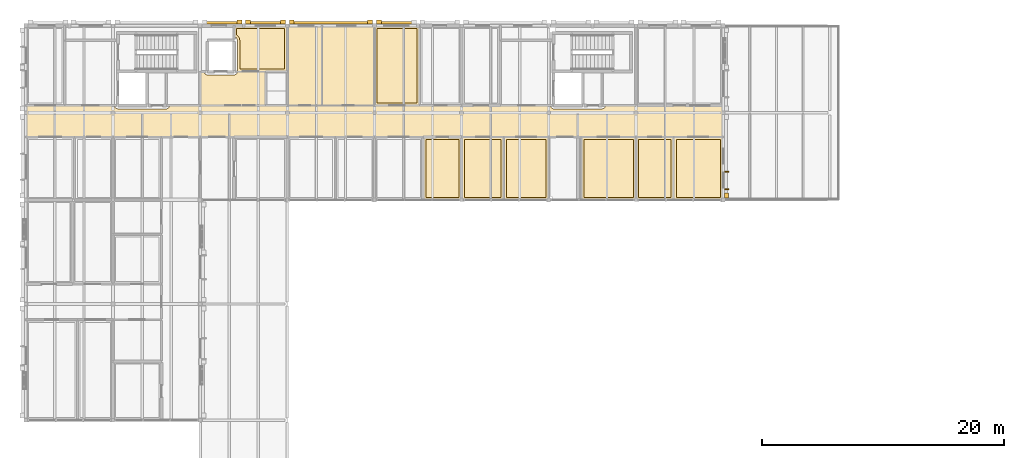
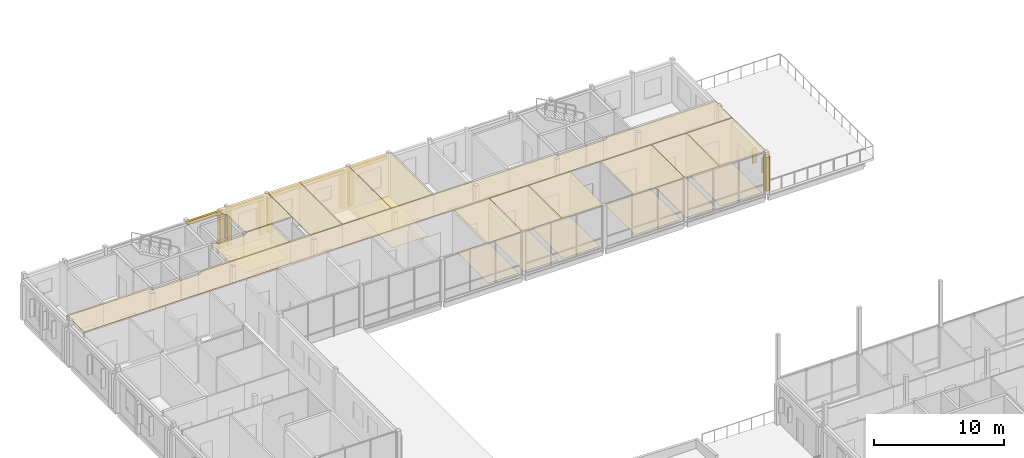
# One storey, part 53 of 57: 31 coverings, 2 shading devices.
"""IFC4 building model written with IfcOpenShell, lengths in metres."""

import ifcopenshell
import ifcopenshell.guid

model = None  # the IFC model being written
_history = None  # IfcOwnerHistory: only IFC2X3 demands one
_inside = {}  # id of a spatial element -> (the spatial element, [elements in it])
_under = {}  # id of a project, library or spatial element -> (it, [spatial elements below it])
_declared = {}  # id of a project -> (the project, [libraries it declares])
_typed = {}  # id of a type object -> (the type object, [elements of that type])
_made_of = {}  # id of a material, layer set ... -> (it, [elements and type objects made of it])


def new_model(schema):
    """Start an empty IFC model of exactly this schema.

    Asked for "IFC4X3", IfcOpenShell would pick the latest addendum, in which some entities
    have other attributes; the version numbers below select the first issue.
    IFC2X3 requires an IfcOwnerHistory on every rooted entity: one is made here for all.
    """
    global model, _history
    if schema == "IFC4X3":
        model = ifcopenshell.file(schema_version=(4, 3, 0, 0))
    else:
        model = ifcopenshell.file(schema=schema)
    _inside.clear()
    _under.clear()
    _declared.clear()
    _typed.clear()
    _made_of.clear()
    _history = None
    if model.schema == "IFC2X3":
        org = make("IfcOrganization", Name="unknown")
        user = make(
            "IfcPersonAndOrganization",
            ThePerson=make("IfcPerson", FamilyName="unknown"),
            TheOrganization=org,
        )
        app = make(
            "IfcApplication",
            ApplicationDeveloper=org,
            Version="unknown",
            ApplicationFullName="unknown",
            ApplicationIdentifier="unknown",
        )
        _history = make(
            "IfcOwnerHistory",
            OwningUser=user,
            OwningApplication=app,
            ChangeAction="ADDED",
            CreationDate=0,
        )
    return model


def make(cls, **values):
    """One entity of the class cls with the attributes given. An attribute that is None is left unset."""
    return model.create_entity(
        cls, **{name: value for name, value in values.items() if value is not None}
    )


def rooted(cls, **values):
    """An entity with a GlobalId (a new one), such as an element, a storey or a relation."""
    return make(cls, GlobalId=ifcopenshell.guid.new(), OwnerHistory=_history, **values)


def si_unit(unit_type, name, prefix=None):
    """IfcSIUnit, for example si_unit("LENGTHUNIT", "METRE", prefix="MILLI")."""
    return make("IfcSIUnit", UnitType=unit_type, Prefix=prefix, Name=name)


def assignment(units):
    """IfcUnitAssignment: the units of a project."""
    return None if units is None else make("IfcUnitAssignment", Units=units)


def point(xyz):
    """IfcCartesianPoint."""
    return None if xyz is None else make("IfcCartesianPoint", Coordinates=xyz)


def direction(xyz):
    """IfcDirection."""
    return None if xyz is None else make("IfcDirection", DirectionRatios=xyz)


def frame(location, z_axis=None, x_axis=None):
    """IfcAxis2Placement3D, a coordinate frame: its origin and axes. An axis left out is left unset."""
    return make(
        "IfcAxis2Placement3D",
        Location=point(location),
        Axis=direction(z_axis),
        RefDirection=direction(x_axis),
    )


def frame_2d(location, x_axis=None):
    """IfcAxis2Placement2D, a coordinate frame in the plane: its origin and x axis."""
    return make(
        "IfcAxis2Placement2D", Location=point(location), RefDirection=direction(x_axis)
    )


def origin():
    """The frame at (0, 0, 0) with its axes left unset."""
    return frame((0.0, 0.0, 0.0))


def origin_2d():
    """The frame at (0, 0) in the plane with its x axis left unset."""
    return frame_2d((0.0, 0.0))


def place(relative_to, where):
    """IfcLocalPlacement: puts the frame where relative to a parent placement (None: the world)."""
    return make(
        "IfcLocalPlacement", PlacementRelTo=relative_to, RelativePlacement=where
    )


def context(
    kind, dimensions, precision=None, world=None, true_north=None, identifier=None
):
    """IfcGeometricRepresentationContext, for example the 3D "Model" context."""
    return make(
        "IfcGeometricRepresentationContext",
        ContextIdentifier=identifier,
        ContextType=kind,
        CoordinateSpaceDimension=dimensions,
        Precision=precision,
        WorldCoordinateSystem=world,
        TrueNorth=true_north,
    )


def subcontext(parent, identifier, kind, view, scale=None):
    """IfcGeometricRepresentationSubContext, for example "Body" below "Model"."""
    return make(
        "IfcGeometricRepresentationSubContext",
        ContextIdentifier=identifier,
        ContextType=kind,
        ParentContext=parent,
        TargetScale=scale,
        TargetView=view,
    )


def project(units=None, contexts=None):
    """IfcProject with its units and contexts."""
    return rooted(
        "IfcProject",
        Name="project",
        RepresentationContexts=contexts,
        UnitsInContext=assignment(units),
    )


def spatial(cls, under=None, at=None, **own):
    """A site, building, storey or space (cls), placed at a placement, below another one or the project."""
    s = rooted(cls, ObjectPlacement=at, **own)
    if under is not None:
        _under.setdefault(under.id(), (under, []))[1].append(s)
    return s


def polyline(points):
    """IfcPolyline through the points."""
    return make("IfcPolyline", Points=[point(p) for p in points])


def profile(cls, at=None, kind="AREA", **sizes):
    """A parametric profile (cls). Its sizes go by their IFC names, for example OverallWidth=200.0."""
    return make(cls, ProfileType=kind, Position=at, **sizes)


def rectangle(**sizes):
    """IfcRectangleProfileDef."""
    return profile("IfcRectangleProfileDef", **sizes)


def outline(outer, holes=None, kind="AREA"):
    """IfcArbitraryClosedProfileDef: a profile drawn as a closed curve; with holes, ...WithVoids."""
    if holes is None:
        return make("IfcArbitraryClosedProfileDef", ProfileType=kind, OuterCurve=outer)
    return make(
        "IfcArbitraryProfileDefWithVoids",
        ProfileType=kind,
        OuterCurve=outer,
        InnerCurves=holes,
    )


def extrude(swept, where, along, depth):
    """IfcExtrudedAreaSolid: the profile swept, set in the frame where, extruded along a direction by depth."""
    return make(
        "IfcExtrudedAreaSolid",
        SweptArea=swept,
        Position=where,
        ExtrudedDirection=direction(along),
        Depth=depth,
    )


def shape(context_of_items, identifier, shape_type, items):
    """IfcShapeRepresentation: the items that make up one representation, for example the "Body"."""
    return make(
        "IfcShapeRepresentation",
        ContextOfItems=context_of_items,
        RepresentationIdentifier=identifier,
        RepresentationType=shape_type,
        Items=items,
    )


def material(Name=None, Category=None):
    """IfcMaterial."""
    return make("IfcMaterial", Name=Name, Category=Category)


def layer(
    of_material, thickness, ventilated=None, Name=None, Category=None, Priority=None
):
    """IfcMaterialLayer: one layer of a wall or slab, of a material (None: an air gap)."""
    return make(
        "IfcMaterialLayer",
        Material=of_material,
        LayerThickness=thickness,
        IsVentilated=ventilated,
        Name=Name,
        Category=Category,
        Priority=Priority,
    )


def layer_set(layers, Name=None):
    """IfcMaterialLayerSet."""
    return make("IfcMaterialLayerSet", MaterialLayers=layers, LayerSetName=Name)


def made_of(thing, what):
    """Note that an element or type object is made of a material, layer set ...; save() writes the relation."""
    if what is not None:
        _made_of.setdefault(what.id(), (what, []))[1].append(thing)
    return thing


def type_object(cls, material=None, **own):
    """A type object (cls), such as IfcWallType, which elements share."""
    return made_of(rooted(cls, **own), material)


def element(
    cls,
    number,
    at=None,
    inside=None,
    cuts=None,
    type_object=None,
    material=None,
    context=None,
    identifier="Body",
    shape_type=None,
    held_by="IfcProductDefinitionShape",
    body=None,
    shapes=None,
    **own,
):
    """One element of the class cls, such as IfcWall. Its Tag is "e" and its number.

    at: its placement. inside: the storey or other place that contains it. cuts: it is an
    opening in that element (IfcRelVoidsElement). A single representation is given by context,
    identifier, shape_type and body (its items); several are given by shapes. held_by: the class
    of the entity that holds the representations. save() writes the other relations.
    """
    e = rooted(cls, Tag="e%d" % number, ObjectPlacement=at, **own)
    if body is not None:
        shapes = [shape(context, identifier, shape_type, body)]
    if shapes is not None:
        e.Representation = make(held_by, Representations=shapes)
    if inside is not None:
        _inside.setdefault(inside.id(), (inside, []))[1].append(e)
    if cuts is not None:
        rooted(
            "IfcRelVoidsElement", RelatingBuildingElement=cuts, RelatedOpeningElement=e
        )
    if type_object is not None:
        _typed.setdefault(type_object.id(), (type_object, []))[1].append(e)
    return made_of(e, material)


def aggregate(whole, parts):
    """IfcRelAggregates: a whole, such as a stair, and the parts it consists of."""
    return rooted("IfcRelAggregates", RelatingObject=whole, RelatedObjects=parts)


def save(model, path):
    """Write the relations noted so far, then the file.

    IfcRelAggregates (storeys below a building ...), IfcRelContainedInSpatialStructure (elements
    in a storey), IfcRelDefinesByType, IfcRelAssociatesMaterial and IfcRelDeclares: one each for
    every whole, place, type object, material and project.
    """
    for whole, parts in _under.values():
        aggregate(whole, parts)
    for where, things in _inside.values():
        rooted(
            "IfcRelContainedInSpatialStructure",
            RelatedElements=things,
            RelatingStructure=where,
        )
    for kind, things in _typed.values():
        rooted("IfcRelDefinesByType", RelatedObjects=things, RelatingType=kind)
    for what, things in _made_of.values():
        rooted("IfcRelAssociatesMaterial", RelatedObjects=things, RelatingMaterial=what)
    for by, libraries in _declared.values():
        rooted("IfcRelDeclares", RelatingContext=by, RelatedDefinitions=libraries)
    model.write(path)


model = new_model("IFC4")

# Units and contexts
model_context = context("Model", 3, precision=1e-05, world=origin(), true_north=direction((0.0, 1.0)))
body_context = subcontext(model_context, "Body", "Model", "MODEL_VIEW")
ifc_project = project(units=[si_unit("LENGTHUNIT", "METRE"), si_unit("AREAUNIT", "SQUARE_METRE"), si_unit("VOLUMEUNIT", "CUBIC_METRE"), si_unit("PLANEANGLEUNIT", "RADIAN"), si_unit("MASSUNIT", "GRAM", prefix="KILO")], contexts=[model_context])

# Site, building, storey
site_placement = place(None, origin())
site = spatial("IfcSite", under=ifc_project, at=site_placement, CompositionType="ELEMENT")
building_placement = place(site_placement, origin())
building = spatial("IfcBuilding", under=site, at=building_placement, Name="Hawrajan Terrace Health Centre", CompositionType="ELEMENT")
storey_placement = place(building_placement, frame((0.0, 0.0, 13.199951171875)))
storey = spatial("IfcBuildingStorey", under=building, at=storey_placement, Name="L03", CompositionType="ELEMENT", Elevation=13.199951171875)

# Coverings
ifc_material_1 = material(Name="Precast concrete C40/50", Category="concrete")
ifc_layer_1 = layer(ifc_material_1, 0.219970703125)
ifc_layer_set_1 = layer_set([ifc_layer_1], Name="Precast concrete C40/50")
covering_type_1 = type_object("IfcCoveringType", Name="ArtDecoCorniceBand", PredefinedType="CLADDING", material=ifc_layer_set_1)
covering_1_placement = place(storey_placement, frame((20.820068359375, 60.034912109375, 3.240234375), z_axis=(0.0, 0.0, 1.0), x_axis=(1.0, 0.0, 0.0)))
element("IfcCovering", 1, at=covering_1_placement, inside=storey, type_object=covering_type_1, Name="Art Deco limestone cornice band CRN-L03-0163", PredefinedType="CLADDING", context=body_context, shape_type="SweptSolid", body=[
    extrude(rectangle(XDim=3.280029296875, YDim=0.219970703125, at=origin_2d()), origin(), (0.0, 0.0, 1.0), 0.300048828125),
])
covering_2_placement = place(storey_placement, frame((24.389892578125, 60.034912109375, 3.240234375), z_axis=(0.0, 0.0, 1.0), x_axis=(1.0, 0.0, 0.0)))
element("IfcCovering", 2, at=covering_2_placement, inside=storey, type_object=covering_type_1, Name="Art Deco limestone cornice band CRN-L03-0164", PredefinedType="CLADDING", context=body_context, shape_type="SweptSolid", body=[
    extrude(rectangle(XDim=3.300048828125, YDim=0.219970703125, at=origin_2d()), origin(), (0.0, 0.0, 1.0), 0.300048828125),
])
covering_3_placement = place(storey_placement, frame((29.7900390625, 60.034912109375, 3.240234375), z_axis=(0.0, 0.0, 1.0), x_axis=(1.0, 0.0, 0.0)))
element("IfcCovering", 3, at=covering_3_placement, inside=storey, type_object=covering_type_1, Name="Art Deco limestone cornice band CRN-L03-0165", PredefinedType="CLADDING", context=body_context, shape_type="SweptSolid", body=[
    extrude(rectangle(XDim=6.860107421875, YDim=0.219970703125, at=origin_2d()), origin(), (0.0, 0.0, 1.0), 0.300048828125),
])
covering_4_placement = place(storey_placement, frame((35.219970703125, 60.034912109375, 3.240234375), z_axis=(0.0, 0.0, 1.0), x_axis=(1.0, 0.0, 0.0)))
element("IfcCovering", 4, at=covering_4_placement, inside=storey, type_object=covering_type_1, Name="Art Deco limestone cornice band CRN-L03-0166", PredefinedType="CLADDING", context=body_context, shape_type="SweptSolid", body=[
    extrude(rectangle(XDim=3.280029296875, YDim=0.219970703125, at=origin_2d()), origin(), (0.0, 0.0, 1.0), 0.300048828125),
])
ifc_layer_2 = layer(ifc_material_1, 0.340087890625)
ifc_layer_set_2 = layer_set([ifc_layer_2], Name="Precast concrete C40/50")
covering_type_2 = type_object("IfcCoveringType", Name="ArtDecoStonePilaster", PredefinedType="CLADDING", material=ifc_layer_set_2)
for number, where, z_axis, x_axis, name in (
    (5, (22.260009765625, 60.094970703125, 0.0), (0.0, 0.0, 1.0), (1.0, 0.0, 0.0), "Art Deco fluted limestone pilaster FPIL-L03-0323"),
    (6, (22.93994140625, 60.094970703125, 0.0), (0.0, 0.0, 1.0), (1.0, 0.0, 0.0), "Art Deco fluted limestone pilaster FPIL-L03-0324"),
    (7, (25.840087890625, 60.094970703125, 0.0), (0.0, 0.0, 1.0), (1.0, 0.0, 0.0), "Art Deco fluted limestone pilaster FPIL-L03-0325"),
    (8, (26.56005859375, 60.094970703125, 0.0), (0.0, 0.0, 1.0), (1.0, 0.0, 0.0), "Art Deco fluted limestone pilaster FPIL-L03-0326"),
    (9, (33.02001953125, 60.094970703125, 0.0), (0.0, 0.0, 1.0), (1.0, 0.0, 0.0), "Art Deco fluted limestone pilaster FPIL-L03-0327"),
    (10, (33.780029296875, 60.094970703125, 0.0), (0.0, 0.0, 1.0), (1.0, 0.0, 0.0), "Art Deco fluted limestone pilaster FPIL-L03-0328"),
):
    element("IfcCovering", number, at=place(storey_placement, frame(where, z_axis=z_axis, x_axis=x_axis)), inside=storey, type_object=covering_type_2, Name=name, PredefinedType="CLADDING", context=body_context, shape_type="SweptSolid", body=[
        extrude(rectangle(XDim=0.39990234375, YDim=0.340087890625, at=origin_2d()), origin(), (0.0, 0.0, 1.0), 3.22998046875),
    ])
covering_5_placement = place(storey_placement, frame((62.4951171875, 45.780029296875, 0.0), z_axis=(0.0, 0.0, 1.0), x_axis=(0.0, 1.0, 0.0)))
element("IfcCovering", 11, at=covering_5_placement, inside=storey, type_object=covering_type_2, Name="Art Deco fluted limestone pilaster FPIL-L03-0351", PredefinedType="CLADDING", context=body_context, shape_type="SweptSolid", body=[
    extrude(rectangle(XDim=0.39990234375, YDim=0.340087890625, at=origin_2d()), origin(), (0.0, 0.0, 1.0), 3.199951171875),
])
ifc_material_2 = material(Name="Hygienic mineral-fibre acoustic tile ceiling")
ifc_layer_3 = layer(ifc_material_2, 0.02490234375)
ifc_layer_set_3 = layer_set([ifc_layer_3], Name="Hygienic mineral-fibre acoustic tile ceiling")
covering_type_3 = type_object("IfcCoveringType", Name="ClinicalAcousticCeiling_25", PredefinedType="CEILING", material=ifc_layer_set_3)
covering_6_placement = place(storey_placement, frame((0.0, 0.0, 3.93505859375)))
element("IfcCovering", 12, at=covering_6_placement, inside=storey, type_object=covering_type_3, Name="Suspended ceiling L03-015", PredefinedType="CEILING", context=body_context, shape_type="SweptSolid", body=[
    extrude(outline(polyline([(24.3798828125, 55.97998046875), (24.3798828125, 53.219970703125), (19.02001953125, 53.219970703125), (19.02001953125, 55.97998046875), (19.3310546875, 55.97998046875), (19.331298828125, 55.974609375), (19.331298828125, 55.97265625), (19.3349609375, 55.9482421875), (19.33544921875, 55.9462890625), (19.34130859375, 55.922607421875), (19.341796875, 55.920654296875), (19.35009765625, 55.897705078125), (19.35107421875, 55.895751953125), (19.361328125, 55.87353515625), (19.3623046875, 55.871826171875), (19.375, 55.850830078125), (19.376220703125, 55.84912109375), (19.390625, 55.82958984375), (19.391845703125, 55.827880859375), (19.408447265625, 55.809814453125), (19.409912109375, 55.808349609375), (19.427978515625, 55.7919921875), (19.429443359375, 55.790771484375), (19.44921875, 55.776123046875), (19.45068359375, 55.77490234375), (19.471923828125, 55.762451171875), (19.4736328125, 55.761474609375), (19.495849609375, 55.7509765625), (19.49755859375, 55.750244140625), (19.520751953125, 55.741943359375), (19.522705078125, 55.741455078125), (19.54638671875, 55.7353515625), (19.54833984375, 55.735107421875), (19.572509765625, 55.7314453125), (19.574462890625, 55.731201171875), (19.59912109375, 55.72998046875), (19.60009765625, 55.72998046875), (21.800048828125, 55.72998046875), (21.801025390625, 55.72998046875), (21.825439453125, 55.731201171875), (21.827392578125, 55.7314453125), (21.851806640625, 55.735107421875), (21.853515625, 55.7353515625), (21.87744140625, 55.741455078125), (21.87939453125, 55.741943359375), (21.90234375, 55.750244140625), (21.904296875, 55.7509765625), (21.926513671875, 55.761474609375), (21.927978515625, 55.762451171875), (21.94921875, 55.77490234375), (21.95068359375, 55.776123046875), (21.970458984375, 55.790771484375), (21.971923828125, 55.7919921875), (21.990234375, 55.808349609375), (21.99169921875, 55.809814453125), (22.008056640625, 55.827880859375), (22.00927734375, 55.82958984375), (22.02392578125, 55.84912109375), (22.02490234375, 55.850830078125), (22.03759765625, 55.871826171875), (22.03857421875, 55.87353515625), (22.049072265625, 55.895751953125), (22.0498046875, 55.897705078125), (22.05810546875, 55.920654296875), (22.05859375, 55.922607421875), (22.064697265625, 55.9462890625), (22.06494140625, 55.9482421875), (22.068603515625, 55.97265625), (22.06884765625, 55.974609375), (22.069091796875, 55.97998046875), (24.3798828125, 55.97998046875)])), origin(), (0.0, 0.0, 1.0), 0.02490234375),
])
covering_7_placement = place(storey_placement, frame((0.0, 0.0, 3.93505859375)))
element("IfcCovering", 13, at=covering_7_placement, inside=storey, type_object=covering_type_3, Name="Suspended ceiling L03-016", PredefinedType="CEILING", context=body_context, shape_type="SweptSolid", body=[
    extrude(outline(polyline([(62.179931640625, 53.179931640625), (62.179931640625, 50.6201171875), (4.6201171875, 50.6201171875), (4.6201171875, 53.179931640625), (11.930908203125, 53.179931640625), (11.93115234375, 53.174560546875), (11.931396484375, 53.172607421875), (11.93505859375, 53.148193359375), (11.935302734375, 53.146484375), (11.94140625, 53.12255859375), (11.94189453125, 53.12060546875), (11.9501953125, 53.09765625), (11.950927734375, 53.095703125), (11.96142578125, 53.073486328125), (11.96240234375, 53.072021484375), (11.97509765625, 53.05078125), (11.97607421875, 53.04931640625), (11.99072265625, 53.029541015625), (11.991943359375, 53.028076171875), (12.00830078125, 53.009765625), (12.009765625, 53.00830078125), (12.028076171875, 52.991943359375), (12.029541015625, 52.99072265625), (12.04931640625, 52.97607421875), (12.05078125, 52.97509765625), (12.072021484375, 52.96240234375), (12.073486328125, 52.96142578125), (12.095703125, 52.950927734375), (12.09765625, 52.9501953125), (12.12060546875, 52.94189453125), (12.12255859375, 52.94140625), (12.146484375, 52.935302734375), (12.148193359375, 52.93505859375), (12.172607421875, 52.931396484375), (12.174560546875, 52.93115234375), (12.198974609375, 52.929931640625), (12.199951171875, 52.929931640625), (16.199951171875, 52.929931640625), (16.200927734375, 52.929931640625), (16.2255859375, 52.93115234375), (16.227294921875, 52.931396484375), (16.251708984375, 52.93505859375), (16.253662109375, 52.935302734375), (16.27734375, 52.94140625), (16.279296875, 52.94189453125), (16.302490234375, 52.9501953125), (16.30419921875, 52.950927734375), (16.326416015625, 52.96142578125), (16.328125, 52.96240234375), (16.34912109375, 52.97509765625), (16.350830078125, 52.97607421875), (16.37060546875, 52.99072265625), (16.3720703125, 52.991943359375), (16.39013671875, 53.00830078125), (16.3916015625, 53.009765625), (16.408203125, 53.028076171875), (16.4091796875, 53.029541015625), (16.423828125, 53.04931640625), (16.425048828125, 53.05078125), (16.4375, 53.072021484375), (16.438720703125, 53.073486328125), (16.448974609375, 53.095703125), (16.44970703125, 53.09765625), (16.4580078125, 53.12060546875), (16.45849609375, 53.12255859375), (16.464599609375, 53.146484375), (16.465087890625, 53.148193359375), (16.468505859375, 53.172607421875), (16.46875, 53.174560546875), (16.468994140625, 53.179931640625), (47.930908203125, 53.179931640625), (47.93115234375, 53.174560546875), (47.931396484375, 53.172607421875), (47.93505859375, 53.148193359375), (47.935302734375, 53.146484375), (47.94140625, 53.12255859375), (47.94189453125, 53.12060546875), (47.9501953125, 53.09765625), (47.950927734375, 53.095703125), (47.96142578125, 53.073486328125), (47.96240234375, 53.072021484375), (47.97509765625, 53.05078125), (47.97607421875, 53.04931640625), (47.99072265625, 53.029541015625), (47.991943359375, 53.028076171875), (48.00830078125, 53.009765625), (48.009765625, 53.00830078125), (48.028076171875, 52.991943359375), (48.029541015625, 52.99072265625), (48.04931640625, 52.97607421875), (48.05078125, 52.97509765625), (48.072021484375, 52.96240234375), (48.073486328125, 52.96142578125), (48.095703125, 52.950927734375), (48.09765625, 52.9501953125), (48.12060546875, 52.94189453125), (48.12255859375, 52.94140625), (48.146484375, 52.935302734375), (48.148193359375, 52.93505859375), (48.172607421875, 52.931396484375), (48.174560546875, 52.93115234375), (48.198974609375, 52.929931640625), (48.199951171875, 52.929931640625), (52.199951171875, 52.929931640625), (52.200927734375, 52.929931640625), (52.2255859375, 52.93115234375), (52.227294921875, 52.931396484375), (52.251708984375, 52.93505859375), (52.253662109375, 52.935302734375), (52.27734375, 52.94140625), (52.279296875, 52.94189453125), (52.302490234375, 52.9501953125), (52.30419921875, 52.950927734375), (52.326416015625, 52.96142578125), (52.328125, 52.96240234375), (52.34912109375, 52.97509765625), (52.350830078125, 52.97607421875), (52.37060546875, 52.99072265625), (52.3720703125, 52.991943359375), (52.39013671875, 53.00830078125), (52.3916015625, 53.009765625), (52.408203125, 53.028076171875), (52.4091796875, 53.029541015625), (52.423828125, 53.04931640625), (52.425048828125, 53.05078125), (52.4375, 53.072021484375), (52.438720703125, 53.073486328125), (52.448974609375, 53.095703125), (52.44970703125, 53.09765625), (52.4580078125, 53.12060546875), (52.45849609375, 53.12255859375), (52.464599609375, 53.146484375), (52.465087890625, 53.148193359375), (52.468505859375, 53.172607421875), (52.46875, 53.174560546875), (52.468994140625, 53.179931640625), (62.179931640625, 53.179931640625)])), origin(), (0.0, 0.0, 1.0), 0.02490234375),
])
covering_8_placement = place(storey_placement, frame((0.0, 0.0, 3.93505859375)))
element("IfcCovering", 14, at=covering_8_placement, inside=storey, type_object=covering_type_3, Name="Suspended ceiling L03-024", PredefinedType="CEILING", context=body_context, shape_type="SweptSolid", body=[
    extrude(outline(polyline([(26.219970703125, 59.780029296875), (29.030029296875, 59.780029296875), (29.030029296875, 53.219970703125), (26.219970703125, 53.219970703125), (26.219970703125, 59.780029296875)])), origin(), (0.0, 0.0, 1.0), 0.02490234375),
])
covering_9_placement = place(storey_placement, frame((0.0, 0.0, 3.93505859375)))
element("IfcCovering", 15, at=covering_9_placement, inside=storey, type_object=covering_type_3, Name="Suspended ceiling L03-025", PredefinedType="CEILING", context=body_context, shape_type="SweptSolid", body=[
    extrude(outline(polyline([(29.070068359375, 59.780029296875), (33.3798828125, 59.780029296875), (33.3798828125, 53.219970703125), (29.070068359375, 53.219970703125), (29.070068359375, 59.780029296875)])), origin(), (0.0, 0.0, 1.0), 0.02490234375),
])
covering_10_placement = place(storey_placement, frame((0.0, 0.0, 3.93505859375)))
element("IfcCovering", 16, at=covering_10_placement, inside=storey, type_object=covering_type_3, Name="Suspended ceiling L03-041", PredefinedType="CEILING", context=body_context, shape_type="SweptSolid", body=[
    extrude(outline(polyline([(21.820068359375, 59.780029296875), (26.179931640625, 59.780029296875), (26.179931640625, 56.02001953125), (22.070068359375, 56.02001953125), (22.070068359375, 58.60009765625), (22.070068359375, 58.60107421875), (22.06884765625, 58.62548828125), (22.068603515625, 58.62744140625), (22.06494140625, 58.651611328125), (22.064697265625, 58.653564453125), (22.05859375, 58.677490234375), (22.05810546875, 58.67919921875), (22.0498046875, 58.702392578125), (22.049072265625, 58.7041015625), (22.03857421875, 58.726318359375), (22.03759765625, 58.72802734375), (22.02490234375, 58.749267578125), (22.02392578125, 58.750732421875), (22.00927734375, 58.7705078125), (22.008056640625, 58.77197265625), (21.99169921875, 58.790283203125), (21.990234375, 58.79150390625), (21.971923828125, 58.80810546875), (21.970458984375, 58.809326171875), (21.95068359375, 58.823974609375), (21.94921875, 58.824951171875), (21.927978515625, 58.837646484375), (21.926513671875, 58.838623046875), (21.904296875, 58.84912109375), (21.90234375, 58.849853515625), (21.87939453125, 58.858154296875), (21.87744140625, 58.858642578125), (21.853515625, 58.864501953125), (21.851806640625, 58.864990234375), (21.827392578125, 58.86865234375), (21.825439453125, 58.868896484375), (21.820068359375, 58.868896484375), (21.820068359375, 59.780029296875)])), origin(), (0.0, 0.0, 1.0), 0.02490234375),
])
covering_11_placement = place(storey_placement, frame((0.0, 0.0, 3.93505859375)))
element("IfcCovering", 17, at=covering_11_placement, inside=storey, type_object=covering_type_3, Name="Suspended ceiling L03-045", PredefinedType="CEILING", context=body_context, shape_type="SweptSolid", body=[
    extrude(outline(polyline([(37.44482421875, 50.580078125), (40.580078125, 50.580078125), (40.580078125, 45.419921875), (37.44482421875, 45.419921875), (37.44482421875, 50.580078125)])), origin(), (0.0, 0.0, 1.0), 0.02490234375),
])
covering_12_placement = place(storey_placement, frame((0.0, 0.0, 3.93505859375)))
element("IfcCovering", 18, at=covering_12_placement, inside=storey, type_object=covering_type_3, Name="Suspended ceiling L03-046", PredefinedType="CEILING", context=body_context, shape_type="SweptSolid", body=[
    extrude(outline(polyline([(33.419921875, 59.780029296875), (37.102294921875, 59.780029296875), (37.102294921875, 53.219970703125), (33.419921875, 53.219970703125), (33.419921875, 59.780029296875)])), origin(), (0.0, 0.0, 1.0), 0.02490234375),
])
covering_13_placement = place(storey_placement, frame((0.0, 0.0, 3.93505859375)))
element("IfcCovering", 19, at=covering_13_placement, inside=storey, type_object=covering_type_3, Name="Suspended ceiling L03-048", PredefinedType="CEILING", context=body_context, shape_type="SweptSolid", body=[
    extrude(outline(polyline([(40.6201171875, 50.580078125), (44.0576171875, 50.580078125), (44.0576171875, 45.419921875), (40.6201171875, 45.419921875), (40.6201171875, 50.580078125)])), origin(), (0.0, 0.0, 1.0), 0.02490234375),
])
covering_14_placement = place(storey_placement, frame((0.0, 0.0, 3.93505859375)))
element("IfcCovering", 20, at=covering_14_placement, inside=storey, type_object=covering_type_3, Name="Suspended ceiling L03-049", PredefinedType="CEILING", context=body_context, shape_type="SweptSolid", body=[
    extrude(outline(polyline([(44.09765625, 50.580078125), (47.780029296875, 50.580078125), (47.780029296875, 45.419921875), (44.09765625, 45.419921875), (44.09765625, 50.580078125)])), origin(), (0.0, 0.0, 1.0), 0.02490234375),
])
covering_15_placement = place(storey_placement, frame((0.0, 0.0, 3.93505859375)))
element("IfcCovering", 21, at=covering_15_placement, inside=storey, type_object=covering_type_3, Name="Suspended ceiling L03-052", PredefinedType="CEILING", context=body_context, shape_type="SweptSolid", body=[
    extrude(outline(polyline([(50.498291015625, 50.580078125), (54.97998046875, 50.580078125), (54.97998046875, 45.419921875), (50.498291015625, 45.419921875), (50.498291015625, 50.580078125)])), origin(), (0.0, 0.0, 1.0), 0.02490234375),
])
covering_16_placement = place(storey_placement, frame((0.0, 0.0, 3.93505859375)))
element("IfcCovering", 22, at=covering_16_placement, inside=storey, type_object=covering_type_3, Name="Suspended ceiling L03-053", PredefinedType="CEILING", context=body_context, shape_type="SweptSolid", body=[
    extrude(outline(polyline([(55.02001953125, 50.580078125), (58.09033203125, 50.580078125), (58.09033203125, 45.419921875), (55.02001953125, 45.419921875), (55.02001953125, 50.580078125)])), origin(), (0.0, 0.0, 1.0), 0.02490234375),
])
covering_17_placement = place(storey_placement, frame((0.0, 0.0, 3.93505859375)))
element("IfcCovering", 23, at=covering_17_placement, inside=storey, type_object=covering_type_3, Name="Suspended ceiling L03-054", PredefinedType="CEILING", context=body_context, shape_type="SweptSolid", body=[
    extrude(outline(polyline([(58.13037109375, 50.580078125), (62.179931640625, 50.580078125), (62.179931640625, 45.419921875), (58.13037109375, 45.419921875), (58.13037109375, 50.580078125)])), origin(), (0.0, 0.0, 1.0), 0.02490234375),
])
ifc_material_3 = material(Name="Seamless medical-grade cushioned vinyl flooring")
ifc_layer_4 = layer(ifc_material_3, 0.011962890625)
ifc_layer_set_4 = layer_set([ifc_layer_4], Name="Seamless medical-grade cushioned vinyl flooring")
covering_type_4 = type_object("IfcCoveringType", Name="ClinicalVinylFlooring_12", PredefinedType="FLOORING", material=ifc_layer_set_4)
covering_18_placement = place(storey_placement, origin())
element("IfcCovering", 24, at=covering_18_placement, inside=storey, type_object=covering_type_4, Name="Floor finish L03-041", PredefinedType="FLOORING", context=body_context, shape_type="SweptSolid", body=[
    extrude(outline(polyline([(22.02001953125, 59.015380859375), (22.02001953125, 59.580078125), (25.97998046875, 59.580078125), (25.97998046875, 56.219970703125), (22.27001953125, 56.219970703125), (22.27001953125, 58.60009765625), (22.27001953125, 58.60498046875), (22.27001953125, 58.60595703125), (22.269775390625, 58.61083984375), (22.2685546875, 58.63525390625), (22.267822265625, 58.64501953125), (22.267578125, 58.64697265625), (22.266357421875, 58.65673828125), (22.2626953125, 58.68115234375), (22.260986328125, 58.690673828125), (22.2607421875, 58.692626953125), (22.258544921875, 58.7021484375), (22.252685546875, 58.72607421875), (22.25, 58.735595703125), (22.24951171875, 58.7373046875), (22.246337890625, 58.74658203125), (22.238037109375, 58.769775390625), (22.234619140625, 58.77880859375), (22.23388671875, 58.78076171875), (22.229736328125, 58.789794921875), (22.219482421875, 58.81201171875), (22.21484375, 58.82080078125), (22.214111328125, 58.822509765625), (22.209228515625, 58.8310546875), (22.196533203125, 58.85205078125), (22.19140625, 58.8603515625), (22.190185546875, 58.86181640625), (22.1845703125, 58.869873046875), (22.169921875, 58.8896484375), (22.163818359375, 58.8974609375), (22.16259765625, 58.89892578125), (22.15625, 58.90625), (22.139892578125, 58.924560546875), (22.133056640625, 58.931640625), (22.131591796875, 58.93310546875), (22.12451171875, 58.939697265625), (22.106201171875, 58.956298828125), (22.098876953125, 58.962646484375), (22.097412109375, 58.9638671875), (22.089599609375, 58.969970703125), (22.06982421875, 58.984619140625), (22.06201171875, 58.990234375), (22.060302734375, 58.9912109375), (22.052001953125, 58.99658203125), (22.031005859375, 59.00927734375), (22.0224609375, 59.013916015625), (22.020751953125, 59.014892578125), (22.02001953125, 59.015380859375)])), origin(), (0.0, 0.0, 1.0), 0.011962890625),
])
covering_19_placement = place(storey_placement, origin())
element("IfcCovering", 25, at=covering_19_placement, inside=storey, type_object=covering_type_4, Name="Floor finish L03-045", PredefinedType="FLOORING", context=body_context, shape_type="SweptSolid", body=[
    extrude(outline(polyline([(37.644775390625, 50.3798828125), (40.3798828125, 50.3798828125), (40.3798828125, 45.6201171875), (37.644775390625, 45.6201171875), (37.644775390625, 50.3798828125)])), origin(), (0.0, 0.0, 1.0), 0.011962890625),
])
covering_20_placement = place(storey_placement, origin())
element("IfcCovering", 26, at=covering_20_placement, inside=storey, type_object=covering_type_4, Name="Floor finish L03-046", PredefinedType="FLOORING", context=body_context, shape_type="SweptSolid", body=[
    extrude(outline(polyline([(33.6201171875, 59.580078125), (36.90234375, 59.580078125), (36.90234375, 53.419921875), (33.6201171875, 53.419921875), (33.6201171875, 59.580078125)])), origin(), (0.0, 0.0, 1.0), 0.011962890625),
])
covering_21_placement = place(storey_placement, origin())
element("IfcCovering", 27, at=covering_21_placement, inside=storey, type_object=covering_type_4, Name="Floor finish L03-048", PredefinedType="FLOORING", context=body_context, shape_type="SweptSolid", body=[
    extrude(outline(polyline([(40.820068359375, 50.3798828125), (43.857666015625, 50.3798828125), (43.857666015625, 45.6201171875), (40.820068359375, 45.6201171875), (40.820068359375, 50.3798828125)])), origin(), (0.0, 0.0, 1.0), 0.011962890625),
])
covering_22_placement = place(storey_placement, origin())
element("IfcCovering", 28, at=covering_22_placement, inside=storey, type_object=covering_type_4, Name="Floor finish L03-049", PredefinedType="FLOORING", context=body_context, shape_type="SweptSolid", body=[
    extrude(outline(polyline([(44.297607421875, 50.3798828125), (47.580078125, 50.3798828125), (47.580078125, 45.6201171875), (44.297607421875, 45.6201171875), (44.297607421875, 50.3798828125)])), origin(), (0.0, 0.0, 1.0), 0.011962890625),
])
covering_23_placement = place(storey_placement, origin())
element("IfcCovering", 29, at=covering_23_placement, inside=storey, type_object=covering_type_4, Name="Floor finish L03-052", PredefinedType="FLOORING", context=body_context, shape_type="SweptSolid", body=[
    extrude(outline(polyline([(50.698486328125, 50.3798828125), (54.780029296875, 50.3798828125), (54.780029296875, 45.6201171875), (50.698486328125, 45.6201171875), (50.698486328125, 50.3798828125)])), origin(), (0.0, 0.0, 1.0), 0.011962890625),
])
covering_24_placement = place(storey_placement, origin())
element("IfcCovering", 30, at=covering_24_placement, inside=storey, type_object=covering_type_4, Name="Floor finish L03-053", PredefinedType="FLOORING", context=body_context, shape_type="SweptSolid", body=[
    extrude(outline(polyline([(55.219970703125, 50.3798828125), (57.890380859375, 50.3798828125), (57.890380859375, 45.6201171875), (55.219970703125, 45.6201171875), (55.219970703125, 50.3798828125)])), origin(), (0.0, 0.0, 1.0), 0.011962890625),
])
covering_25_placement = place(storey_placement, origin())
element("IfcCovering", 31, at=covering_25_placement, inside=storey, type_object=covering_type_4, Name="Floor finish L03-054", PredefinedType="FLOORING", context=body_context, shape_type="SweptSolid", body=[
    extrude(outline(polyline([(58.330322265625, 50.3798828125), (61.97998046875, 50.3798828125), (61.97998046875, 45.6201171875), (58.330322265625, 45.6201171875), (58.330322265625, 50.3798828125)])), origin(), (0.0, 0.0, 1.0), 0.011962890625),
])

# Shading devices
ifc_material_4 = material(Name="Anodized bronze mashrabiya vertical solar fin")
ifc_layer_5 = layer(ifc_material_4, 0.080078125)
ifc_layer_set_5 = layer_set([ifc_layer_5], Name="Anodized bronze mashrabiya vertical solar fin")
shading_device_type = type_object("IfcShadingDeviceType", Name="MashrabiyaVerticalFin", PredefinedType="USERDEFINED", material=ifc_layer_set_5)
for number, where, z_axis, x_axis, name in (
    (32, (62.5048828125, 46.300048828125, 1.35009765625), (0.0, 0.0, 1.0), (0.0, 1.0, 0.0), "Bronze mashrabiya solar fin FIN-L03-0225"),
    (33, (62.5048828125, 47.72998046875, 1.35009765625), (0.0, 0.0, 1.0), (0.0, 1.0, 0.0), "Bronze mashrabiya solar fin FIN-L03-0226"),
):
    element("IfcShadingDevice", number, at=place(storey_placement, frame(where, z_axis=z_axis, x_axis=x_axis)), inside=storey, type_object=shading_device_type, Name=name, ObjectType="SOLAR_FIN", PredefinedType="USERDEFINED", context=body_context, shape_type="SweptSolid", body=[
        extrude(rectangle(XDim=0.080078125, YDim=0.360107421875, at=origin_2d()), origin(), (0.0, 0.0, 1.0), 1.39990234375),
    ])

save(model, "model.ifc")
